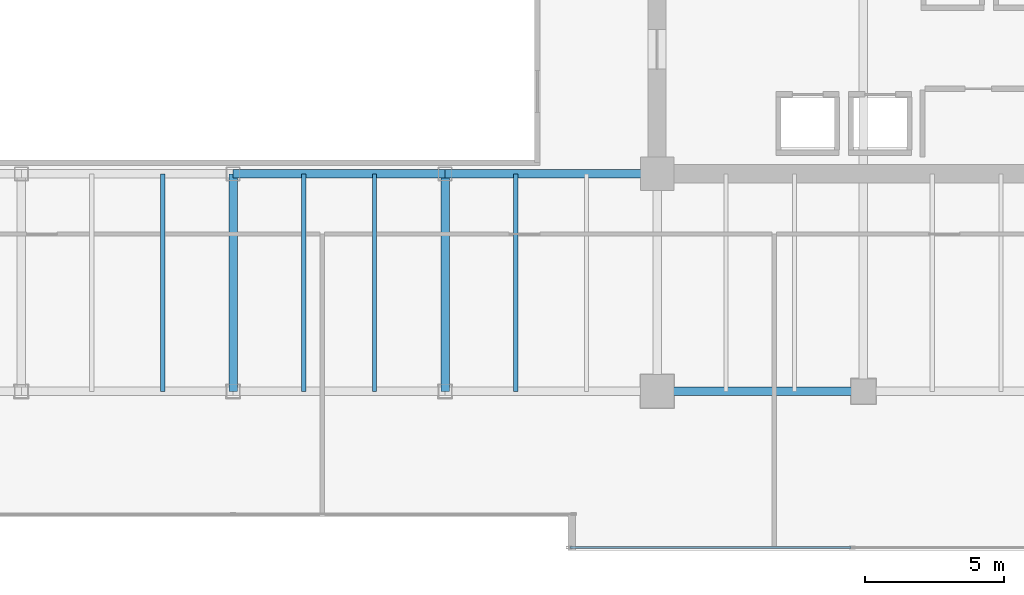
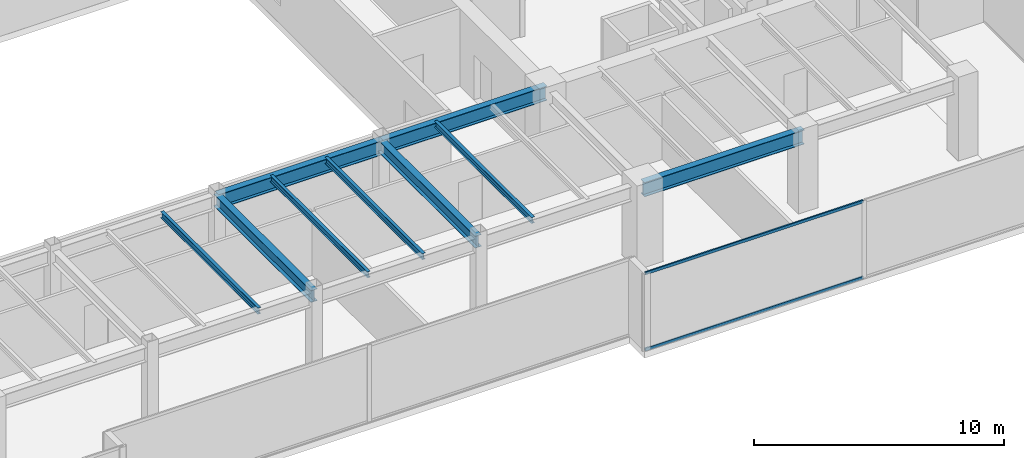
# One storey, part 11 of 33: 9 beams, 2 members, 1 element without a shape of its own.
"""IFC4 building model written with IfcOpenShell, lengths in metres."""

from ifc_helpers import new_model, si_unit, direction, frame, origin, origin_2d, place, context, subcontext, project, spatial, hollow_rectangle, i_section, extrude, source, transform, mapped, material, layer, layer_set, material_profile, profile_set, type_object, type_shapes, element, aggregate, save


model = new_model("IFC4")

# Units and contexts
model_context = context("Model", 3, precision=1e-05, world=origin(), true_north=direction((0.0, 1.0)))
body_context = subcontext(model_context, "Body", "Model", "MODEL_VIEW")
ifc_project = project(units=[si_unit("LENGTHUNIT", "METRE"), si_unit("AREAUNIT", "SQUARE_METRE"), si_unit("VOLUMEUNIT", "CUBIC_METRE"), si_unit("PLANEANGLEUNIT", "RADIAN"), si_unit("MASSUNIT", "GRAM", prefix="KILO")], contexts=[model_context])

# Site, building, storey
site_placement = place(None, origin())
site = spatial("IfcSite", under=ifc_project, at=site_placement, CompositionType="ELEMENT")
building_placement = place(site_placement, origin())
building = spatial("IfcBuilding", under=site, at=building_placement, Name="Haelvirn Gate Laboratories", CompositionType="ELEMENT")
storey_placement = place(building_placement, frame((0.0, 0.0, 166.60009765625)))
storey = spatial("IfcBuildingStorey", under=building, at=storey_placement, Name="L40", CompositionType="ELEMENT", Elevation=166.60009765625)

# Beams
ifc_material_1 = material(Name="Steel SM355", Category="steel")
ifc_material_profile_1 = material_profile(ifc_material_1, i_section(OverallWidth=0.300048828125, OverallDepth=0.699951171875, WebThickness=0.012939453125, FlangeThickness=0.02392578125, at=origin_2d()), Name="H-700x300x13x24")
ifc_profile_set_1 = profile_set([ifc_material_profile_1], Name="Steel SM355")
beam_type_1 = type_object("IfcBeamType", Name="BM-G-700", PredefinedType="BEAM", material=ifc_profile_set_1)
shared_shape_1 = source(origin(), body_context, "Body", "SweptSolid", [
    extrude(i_section(OverallWidth=0.300048828125, OverallDepth=0.699951171875, WebThickness=0.012939453125, FlangeThickness=0.02392578125, at=origin_2d()), origin(), (0.0, 0.0, 1.0), 7.39990234375),
])
beam_placement = place(storey_placement, frame((52.60009765625, 7.0, 3.43994140625), z_axis=(1.0, 0.0, 0.0), x_axis=(0.0, 1.0, 0.0)))
element("IfcBeam", 1, at=beam_placement, inside=storey, type_object=beam_type_1, Name="L40 Primary Girder Y7.0 (52.6-60.0)", PredefinedType="BEAM", context=body_context, shape_type="MappedRepresentation", body=[
    mapped(shared_shape_1, transform((0.0, 0.0, 0.0), scale=1.0)),
])
shared_shape_2 = source(origin(), body_context, "Body", "SweptSolid", [
    extrude(i_section(OverallWidth=0.300048828125, OverallDepth=0.699951171875, WebThickness=0.012939453125, FlangeThickness=0.02392578125, at=origin_2d()), origin(), (0.0, 0.0, 1.0), 7.60009765625),
])
type_shapes(beam_type_1, [shared_shape_1, shared_shape_2])
for number, where, z_axis, x_axis, name in (
    (2, (37.39990234375, 14.800048828125, 3.43994140625), (1.0, 0.0, 0.0), (0.0, 1.0, 0.0), "L40 Primary Girder Y14.8 (37.4-45.0)"),
    (3, (45.0, 14.800048828125, 3.43994140625), (1.0, 0.0, 0.0), (0.0, 1.0, 0.0), "L40 Primary Girder Y14.8 (45.0-52.6)"),
):
    element("IfcBeam", number, at=place(storey_placement, frame(where, z_axis=z_axis, x_axis=x_axis)), inside=storey, type_object=beam_type_1, Name=name, PredefinedType="BEAM", context=body_context, shape_type="MappedRepresentation", body=[
        mapped(shared_shape_2, transform((0.0, 0.0, 0.0), scale=1.0)),
    ])
ifc_material_profile_2 = material_profile(ifc_material_1, i_section(OverallWidth=0.14990234375, OverallDepth=0.300048828125, WebThickness=0.006591796875, FlangeThickness=0.009033203125, at=origin_2d()), Name="H-300x150x6.5x9")
ifc_profile_set_2 = profile_set([ifc_material_profile_2], Name="Steel SM355")
beam_type_2 = type_object("IfcBeamType", Name="BM-J-300", PredefinedType="JOIST", material=ifc_profile_set_2)
shared_shape_3 = source(origin(), body_context, "Body", "SweptSolid", [
    extrude(i_section(OverallWidth=0.14990234375, OverallDepth=0.300048828125, WebThickness=0.006591796875, FlangeThickness=0.009033203125, at=origin_2d()), origin(), (0.0, 0.0, 1.0), 7.800048828125),
])
type_shapes(beam_type_2, [shared_shape_3])
for number, where, z_axis, x_axis, name in (
    (4, (34.8701171875, 7.0, 3.639892578125), (0.0, 1.0, 0.0), (-1.0, 0.0, 0.0), "L40 Composite Lab Joist South X34.87"),
    (5, (39.929931640625, 7.0, 3.639892578125), (0.0, 1.0, 0.0), (-1.0, 0.0, 0.0), "L40 Composite Lab Joist South X39.93"),
    (6, (42.469970703125, 7.0, 3.639892578125), (0.0, 1.0, 0.0), (-1.0, 0.0, 0.0), "L40 Composite Lab Joist South X42.47"),
    (7, (47.530029296875, 7.0, 3.639892578125), (0.0, 1.0, 0.0), (-1.0, 0.0, 0.0), "L40 Composite Lab Joist South X47.53"),
):
    element("IfcBeam", number, at=place(storey_placement, frame(where, z_axis=z_axis, x_axis=x_axis)), inside=storey, type_object=beam_type_2, Name=name, PredefinedType="JOIST", context=body_context, shape_type="MappedRepresentation", body=[
        mapped(shared_shape_3, transform((0.0, 0.0, 0.0), scale=1.0)),
    ])
ifc_material_profile_3 = material_profile(ifc_material_1, i_section(OverallWidth=0.300048828125, OverallDepth=0.587890625, WebThickness=0.011962890625, FlangeThickness=0.02001953125, at=origin_2d()), Name="H-588x300x12x20")
ifc_profile_set_3 = profile_set([ifc_material_profile_3], Name="Steel SM355")
beam_type_3 = type_object("IfcBeamType", Name="BM-G-588", PredefinedType="BEAM", material=ifc_profile_set_3)
shared_shape_4 = source(origin(), body_context, "Body", "SweptSolid", [
    extrude(i_section(OverallWidth=0.300048828125, OverallDepth=0.587890625, WebThickness=0.011962890625, FlangeThickness=0.02001953125, at=origin_2d()), origin(), (0.0, 0.0, 1.0), 7.800048828125),
])
type_shapes(beam_type_3, [shared_shape_4])
for number, where, z_axis, x_axis, name in (
    (8, (37.39990234375, 7.0, 3.495849609375), (0.0, 1.0, 0.0), (-1.0, 0.0, 0.0), "L40 Frame Girder X37.4 (7.0-14.8)"),
    (9, (45.0, 7.0, 3.495849609375), (0.0, 1.0, 0.0), (-1.0, 0.0, 0.0), "L40 Frame Girder X45.0 (7.0-14.8)"),
):
    element("IfcBeam", number, at=place(storey_placement, frame(where, z_axis=z_axis, x_axis=x_axis)), inside=storey, type_object=beam_type_3, Name=name, PredefinedType="BEAM", context=body_context, shape_type="MappedRepresentation", body=[
        mapped(shared_shape_4, transform((0.0, 0.0, 0.0), scale=1.0)),
    ])

# Curtain wall, members
ifc_material_2 = material(Name="Anodised bronze unitised aluminium & triple low-E glass", Category="aluminium")
ifc_layer = layer(ifc_material_2, 0.179931640625, Name="CW-SYS-3")
ifc_layer_set = layer_set([ifc_layer], Name="Anodised bronze unitised aluminium & triple low-E glass")
curtain_wall_type = type_object("IfcCurtainWallType", Name="CW-SYS-3", PredefinedType="NOTDEFINED", material=ifc_layer_set)
curtain_wall_placement = place(storey_placement, origin())
curtain_wall = element("IfcCurtainWall", 10, at=curtain_wall_placement, inside=storey, type_object=curtain_wall_type, Name="L40 Unitised Curtain Wall CW-L40-P0-E04-1", PredefinedType="NOTDEFINED")
ifc_material_3 = material(Name="Extruded aluminium 6063-T6 (anodised bronze)", Category="aluminium")
ifc_material_profile_4 = material_profile(ifc_material_3, hollow_rectangle(XDim=0.06494140625, YDim=0.139892578125, WallThickness=0.00390625, at=origin_2d()), Name="CWT-140x65x4")
ifc_profile_set_4 = profile_set([ifc_material_profile_4], Name="Extruded aluminium 6063-T6 (anodised bronze)")
member_type = type_object("IfcMemberType", Name="CWT-T140", PredefinedType="USERDEFINED", material=ifc_profile_set_4)
shared_shape_5 = source(origin(), body_context, "Body", "SweptSolid", [
    extrude(hollow_rectangle(XDim=0.06494140625, YDim=0.139892578125, WallThickness=0.00390625, at=origin_2d()), origin(), (0.0, 0.0, 1.0), 10.08740234375),
])
type_shapes(member_type, [shared_shape_5])
member_1_placement = place(storey_placement, frame((49.47509765625, 1.39990234375, 0.032470703125), z_axis=(1.0, 0.0, 0.0), x_axis=(0.0, 1.0, 0.0)))
member_1 = element("IfcMember", 11, at=member_1_placement, type_object=member_type, Name="CW3 transom 1.1", ObjectType="TRANSOM", PredefinedType="USERDEFINED", context=body_context, shape_type="MappedRepresentation", body=[
    mapped(shared_shape_5, transform((0.0, 0.0, 0.0), scale=1.0)),
])
member_2_placement = place(storey_placement, frame((49.47509765625, 1.39990234375, 3.75732421875), z_axis=(1.0, 0.0, 0.0), x_axis=(0.0, 1.0, 0.0)))
member_2 = element("IfcMember", 12, at=member_2_placement, type_object=member_type, Name="CW3 transom 1.2", ObjectType="TRANSOM", PredefinedType="USERDEFINED", context=body_context, shape_type="MappedRepresentation", body=[
    mapped(shared_shape_5, transform((0.0, 0.0, 0.0), scale=1.0)),
])
aggregate(curtain_wall, [member_1, member_2])

save(model, "model.ifc")
